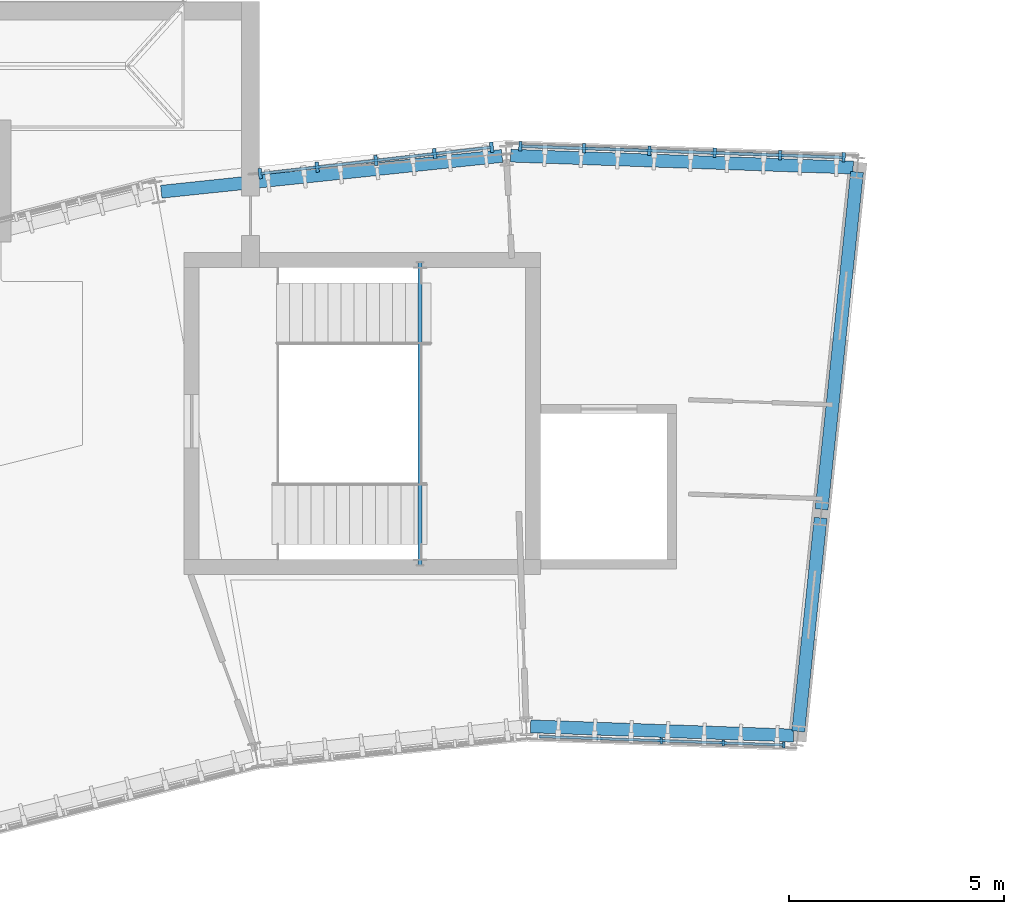
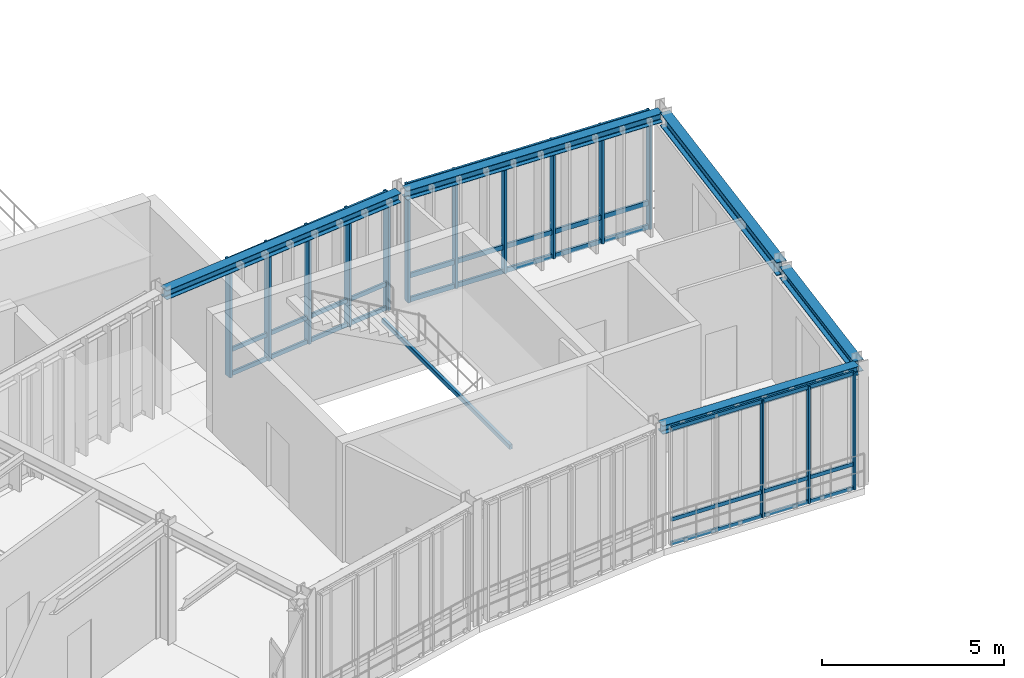
# One storey, part 24 of 57: 24 members, 5 beams, 3 elements without a shape of their own.
"""IFC4 building model written with IfcOpenShell, lengths in metres."""

from ifc_helpers import new_model, si_unit, direction, frame, origin, origin_2d, place, context, subcontext, project, spatial, rectangle, hollow_rectangle, i_section, extrude, material, layer, layer_set, material_profile, profile_set, type_object, element, aggregate, save


model = new_model("IFC4")

# Units and contexts
model_context = context("Model", 3, precision=1e-05, world=origin(), true_north=direction((0.0, 1.0)))
body_context = subcontext(model_context, "Body", "Model", "MODEL_VIEW")
ifc_project = project(units=[si_unit("LENGTHUNIT", "METRE"), si_unit("AREAUNIT", "SQUARE_METRE"), si_unit("VOLUMEUNIT", "CUBIC_METRE"), si_unit("PLANEANGLEUNIT", "RADIAN"), si_unit("MASSUNIT", "GRAM", prefix="KILO"), si_unit("THERMODYNAMICTEMPERATUREUNIT", "KELVIN"), si_unit("POWERUNIT", "WATT")], contexts=[model_context])

# Site, building, storey
site_placement = place(None, origin())
site = spatial("IfcSite", under=ifc_project, at=site_placement, CompositionType="ELEMENT")
building_placement = place(site_placement, origin())
building = spatial("IfcBuilding", under=site, at=building_placement, Name="Solvatero Civic Police Headquarters", CompositionType="ELEMENT")
storey_placement = place(building_placement, frame((0.0, 0.0, 9.300048828125)))
storey = spatial("IfcBuildingStorey", under=building, at=storey_placement, Name="L02", CompositionType="ELEMENT", Elevation=9.300048828125)

# Beams
ifc_material_1 = material(Name="Steel S355", Category="steel")
ifc_material_profile_1 = material_profile(ifc_material_1, i_section(OverallWidth=0.300048828125, OverallDepth=0.2900390625, WebThickness=0.008544921875, FlangeThickness=0.013916015625, FilletRadius=0.027099609375, at=origin_2d()), Name="HEA 300")
ifc_profile_set_1 = profile_set([ifc_material_profile_1], Name="Steel S355")
beam_type_1 = type_object("IfcBeamType", Name="BM-ST-HEA300", PredefinedType="SPANDREL", material=ifc_profile_set_1)
beam_1_placement = place(storey_placement, frame((98.640380859375, 71.10498046875, 3.85498046875), z_axis=(-0.999390615504, 0.034905553175, 0.0), x_axis=(-0.034905553175, -0.999390615504, 0.0)))
element("IfcBeam", 1, at=beam_1_placement, inside=storey, type_object=beam_type_1, Name="Perimeter / radial spandrel beam BM-R2-L02-ARC-CIN-B01", PredefinedType="SPANDREL", context=body_context, shape_type="SweptSolid", body=[
    extrude(i_section(OverallWidth=0.300048828125, OverallDepth=0.2900390625, WebThickness=0.008544921875, FlangeThickness=0.013916015625, FilletRadius=0.027099609375, at=origin_2d()), origin(), (0.0, 0.0, 1.0), 6.126953125),
])
ifc_material_profile_2 = material_profile(ifc_material_1, i_section(OverallWidth=0.300048828125, OverallDepth=0.31005859375, WebThickness=0.009033203125, FlangeThickness=0.015380859375, FilletRadius=0.027099609375, at=origin_2d()), Name="HEA 320")
ifc_profile_set_2 = profile_set([ifc_material_profile_2], Name="Steel S355")
beam_type_2 = type_object("IfcBeamType", Name="BM-ST-HEA320", PredefinedType="SPANDREL", material=ifc_profile_set_2)
beam_2_placement = place(storey_placement, frame((100.03076171875, 84.332275390625, 3.844970703125), z_axis=(-0.999390940069, 0.034896259223, 0.0), x_axis=(-0.034896259223, -0.999390940069, 0.0)))
element("IfcBeam", 2, at=beam_2_placement, inside=storey, type_object=beam_type_2, Name="Perimeter / radial spandrel beam BM-R2-L02-ARC-COUT-B01", PredefinedType="SPANDREL", context=body_context, shape_type="SweptSolid", body=[
    extrude(i_section(OverallWidth=0.300048828125, OverallDepth=0.31005859375, WebThickness=0.009033203125, FlangeThickness=0.015380859375, FilletRadius=0.027099609375, at=origin_2d()), origin(), (0.0, 0.0, 1.0), 7.982666015625),
])
beam_3_placement = place(storey_placement, frame((91.853515625, 84.603759765625, 3.844970703125), z_axis=(-0.994523705386, -0.10451124066, 0.0), x_axis=(0.10451124066, -0.994523705386, 0.0)))
element("IfcBeam", 3, at=beam_3_placement, inside=storey, type_object=beam_type_2, Name="Perimeter / radial spandrel beam BM-R2-L02-ARC-COUT-B02", PredefinedType="SPANDREL", context=body_context, shape_type="SweptSolid", body=[
    extrude(i_section(OverallWidth=0.300048828125, OverallDepth=0.31005859375, WebThickness=0.009033203125, FlangeThickness=0.015380859375, FilletRadius=0.027099609375, at=origin_2d()), origin(), (0.0, 0.0, 1.0), 7.982177734375),
])
ifc_material_profile_3 = material_profile(ifc_material_1, i_section(OverallWidth=0.300048828125, OverallDepth=0.389892578125, WebThickness=0.010986328125, FlangeThickness=0.01904296875, FilletRadius=0.027099609375, at=origin_2d()), Name="HEA 400")
ifc_profile_set_3 = profile_set([ifc_material_profile_3], Name="Steel S355")
beam_type_3 = type_object("IfcBeamType", Name="BM-ST-HEA400", PredefinedType="BEAM", material=ifc_profile_set_3)
beam_4_placement = place(storey_placement, frame((98.7509765625, 71.201171875, 3.804931640625), z_axis=(0.104496685935, 0.994525234787, 0.0), x_axis=(-0.994525234787, 0.104496685935, 0.0)))
element("IfcBeam", 4, at=beam_4_placement, inside=storey, type_object=beam_type_3, Name="Primary girder BM-R2-L02-ARC-RAD1-S00", PredefinedType="BEAM", context=body_context, shape_type="SweptSolid", body=[
    extrude(i_section(OverallWidth=0.300048828125, OverallDepth=0.389892578125, WebThickness=0.010986328125, FlangeThickness=0.01904296875, FilletRadius=0.027099609375, at=origin_2d()), origin(), (0.0, 0.0, 1.0), 4.999755859375),
])
ifc_material_profile_4 = material_profile(ifc_material_1, i_section(OverallWidth=0.300048828125, OverallDepth=0.43994140625, WebThickness=0.011474609375, FlangeThickness=0.02099609375, FilletRadius=0.027099609375, at=origin_2d()), Name="HEA 450")
ifc_profile_set_4 = profile_set([ifc_material_profile_4], Name="Steel S355")
beam_type_4 = type_object("IfcBeamType", Name="BM-ST-HEA450", PredefinedType="BEAM", material=ifc_profile_set_4)
beam_5_placement = place(storey_placement, frame((99.29443359375, 76.37255859375, 3.780029296875), z_axis=(0.104517477854, 0.99452304992, 0.0), x_axis=(-0.99452304992, 0.104517477854, 0.0)))
element("IfcBeam", 5, at=beam_5_placement, inside=storey, type_object=beam_type_4, Name="Primary girder BM-R2-L02-ARC-RAD2-S00", PredefinedType="BEAM", context=body_context, shape_type="SweptSolid", body=[
    extrude(i_section(OverallWidth=0.300048828125, OverallDepth=0.43994140625, WebThickness=0.011474609375, FlangeThickness=0.02099609375, FilletRadius=0.027099609375, at=origin_2d()), origin(), (0.0, 0.0, 1.0), 7.89990234375),
])

# Curtain wall, members
ifc_material_2 = material(Name="Anodized Bronze Aluminium", Category="aluminium")
ifc_layer_1 = layer(ifc_material_2, 0.179931640625)
ifc_layer_set_1 = layer_set([ifc_layer_1], Name="Anodized Bronze Aluminium")
curtain_wall_type_1 = type_object("IfcCurtainWallType", Name="CW-ARC-OUT", PredefinedType="USERDEFINED", material=ifc_layer_set_1)
curtain_wall_1_placement = place(storey_placement, origin())
curtain_wall_1 = element("IfcCurtainWall", 6, at=curtain_wall_1_placement, inside=storey, type_object=curtain_wall_type_1, Name="Curtain Wall CW-R2-L02-ARC-OUT-B02E", ObjectType="UNITISED", PredefinedType="USERDEFINED")
ifc_material_profile_5 = material_profile(ifc_material_2, rectangle(XDim=0.080078125, YDim=0.239990234375, at=origin_2d()), Name="ALU MULLION 80x240")
ifc_profile_set_5 = profile_set([ifc_material_profile_5], Name="Anodized Bronze Aluminium")
member_type_1 = type_object("IfcMemberType", Name="CWM-140x60", PredefinedType="MULLION", material=ifc_profile_set_5)
member_1_placement = place(storey_placement, frame((91.610107421875, 84.805908203125, 0.0), z_axis=(0.0, 0.0, 1.0), x_axis=(-0.993565927008, -0.113255236913, 0.0)))
member_1 = element("IfcMember", 7, at=member_1_placement, type_object=member_type_1, Name="CW-R2-L02-ARC-OUT-B02E Mullion 1", PredefinedType="MULLION", context=body_context, shape_type="SweptSolid", body=[
    extrude(rectangle(XDim=0.080078125, YDim=0.239990234375, at=origin_2d()), origin(), (0.0, 0.0, 1.0), 3.93994140625),
])
member_2_placement = place(storey_placement, frame((90.2822265625, 84.654541015625, 0.0), z_axis=(0.0, 0.0, 1.0), x_axis=(-0.993565927008, -0.113255236913, 0.0)))
member_2 = element("IfcMember", 8, at=member_2_placement, type_object=member_type_1, Name="CW-R2-L02-ARC-OUT-B02E Mullion 2", PredefinedType="MULLION", context=body_context, shape_type="SweptSolid", body=[
    extrude(rectangle(XDim=0.080078125, YDim=0.239990234375, at=origin_2d()), origin(), (0.0, 0.0, 1.0), 3.93994140625),
])
member_3_placement = place(storey_placement, frame((88.914794921875, 84.49853515625, 0.0), z_axis=(0.0, 0.0, 1.0), x_axis=(-0.993565927008, -0.113255236913, 0.0)))
member_3 = element("IfcMember", 9, at=member_3_placement, type_object=member_type_1, Name="CW-R2-L02-ARC-OUT-B02E Mullion 3", PredefinedType="MULLION", context=body_context, shape_type="SweptSolid", body=[
    extrude(rectangle(XDim=0.080078125, YDim=0.239990234375, at=origin_2d()), origin(), (0.0, 0.0, 1.0), 3.93994140625),
])
member_4_placement = place(storey_placement, frame((87.547119140625, 84.3427734375, 0.0), z_axis=(0.0, 0.0, 1.0), x_axis=(-0.993565927008, -0.113255236913, 0.0)))
member_4 = element("IfcMember", 10, at=member_4_placement, type_object=member_type_1, Name="CW-R2-L02-ARC-OUT-B02E Mullion 4", PredefinedType="MULLION", context=body_context, shape_type="SweptSolid", body=[
    extrude(rectangle(XDim=0.080078125, YDim=0.239990234375, at=origin_2d()), origin(), (0.0, 0.0, 1.0), 3.93994140625),
])
member_5_placement = place(storey_placement, frame((86.21923828125, 84.19140625, 0.0), z_axis=(0.0, 0.0, 1.0), x_axis=(-0.993565927008, -0.113255236913, 0.0)))
member_5 = element("IfcMember", 11, at=member_5_placement, type_object=member_type_1, Name="CW-R2-L02-ARC-OUT-B02E Mullion 5", PredefinedType="MULLION", context=body_context, shape_type="SweptSolid", body=[
    extrude(rectangle(XDim=0.080078125, YDim=0.239990234375, at=origin_2d()), origin(), (0.0, 0.0, 1.0), 3.93994140625),
])

ifc_layer_2 = layer(ifc_material_2, 0.179931640625)
ifc_layer_set_2 = layer_set([ifc_layer_2], Name="Anodized Bronze Aluminium")
curtain_wall_type_2 = type_object("IfcCurtainWallType", Name="CW-ARC-IN", PredefinedType="USERDEFINED", material=ifc_layer_set_2)
curtain_wall_2_placement = place(storey_placement, origin())
curtain_wall_2 = element("IfcCurtainWall", 12, at=curtain_wall_2_placement, inside=storey, type_object=curtain_wall_type_2, Name="Curtain Wall CW-R2-L02-ARC-IN-B01", ObjectType="UNITISED", PredefinedType="USERDEFINED")
ifc_material_profile_6 = material_profile(ifc_material_2, rectangle(XDim=0.06005859375, YDim=0.139892578125, at=origin_2d()), Name="ALU MULLION 60x140")
ifc_profile_set_6 = profile_set([ifc_material_profile_6], Name="Anodized Bronze Aluminium")
member_type_2 = type_object("IfcMemberType", Name="CWM-160x65", PredefinedType="MULLION", material=ifc_profile_set_6)
member_6_placement = place(storey_placement, frame((98.41357421875, 70.88330078125, 0.0), z_axis=(0.0, 0.0, 1.0), x_axis=(-0.999390827019, 0.034899496703, 0.0)))
member_6 = element("IfcMember", 13, at=member_6_placement, type_object=member_type_2, Name="CW-R2-L02-ARC-IN-B01 Mullion 1", PredefinedType="MULLION", context=body_context, shape_type="SweptSolid", body=[
    extrude(rectangle(XDim=0.06005859375, YDim=0.139892578125, at=origin_2d()), origin(), (0.0, 0.0, 1.0), 3.93994140625),
])
member_7_placement = place(storey_placement, frame((97.006591796875, 70.9326171875, 0.0), z_axis=(0.0, 0.0, 1.0), x_axis=(-0.999390827019, 0.034899496703, 0.0)))
member_7 = element("IfcMember", 14, at=member_7_placement, type_object=member_type_2, Name="CW-R2-L02-ARC-IN-B01 Mullion 2", PredefinedType="MULLION", context=body_context, shape_type="SweptSolid", body=[
    extrude(rectangle(XDim=0.06005859375, YDim=0.139892578125, at=origin_2d()), origin(), (0.0, 0.0, 1.0), 3.93994140625),
])
member_8_placement = place(storey_placement, frame((95.559326171875, 70.983154296875, 0.0), z_axis=(0.0, 0.0, 1.0), x_axis=(-0.999390827019, 0.034899496703, 0.0)))
member_8 = element("IfcMember", 15, at=member_8_placement, type_object=member_type_2, Name="CW-R2-L02-ARC-IN-B01 Mullion 3", PredefinedType="MULLION", context=body_context, shape_type="SweptSolid", body=[
    extrude(rectangle(XDim=0.06005859375, YDim=0.139892578125, at=origin_2d()), origin(), (0.0, 0.0, 1.0), 3.93994140625),
])

curtain_wall_3_placement = place(storey_placement, origin())
curtain_wall_3 = element("IfcCurtainWall", 16, at=curtain_wall_3_placement, inside=storey, type_object=curtain_wall_type_1, Name="Curtain Wall CW-R2-L02-ARC-OUT-B01", ObjectType="UNITISED", PredefinedType="USERDEFINED")
ifc_material_profile_7 = material_profile(ifc_material_2, rectangle(XDim=0.074951171875, YDim=0.219970703125, at=origin_2d()), Name="ALU MULLION 75x220")
ifc_profile_set_7 = profile_set([ifc_material_profile_7], Name="Anodized Bronze Aluminium")
member_type_3 = type_object("IfcMemberType", Name="CWM-250x85", PredefinedType="MULLION", material=ifc_profile_set_7)
member_9_placement = place(storey_placement, frame((99.808837890625, 84.569580078125, 0.0), z_axis=(0.0, 0.0, 1.0), x_axis=(-0.999390827019, 0.034899496703, 0.0)))
member_9 = element("IfcMember", 17, at=member_9_placement, type_object=member_type_3, Name="CW-R2-L02-ARC-OUT-B01 Mullion 1", PredefinedType="MULLION", context=body_context, shape_type="SweptSolid", body=[
    extrude(rectangle(XDim=0.074951171875, YDim=0.219970703125, at=origin_2d()), origin(), (0.0, 0.0, 1.0), 3.93994140625),
])
member_10_placement = place(storey_placement, frame((98.326904296875, 84.62109375, 0.0), z_axis=(0.0, 0.0, 1.0), x_axis=(-0.999390827019, 0.034899496703, 0.0)))
member_10 = element("IfcMember", 18, at=member_10_placement, type_object=member_type_3, Name="CW-R2-L02-ARC-OUT-B01 Mullion 2", PredefinedType="MULLION", context=body_context, shape_type="SweptSolid", body=[
    extrude(rectangle(XDim=0.074951171875, YDim=0.219970703125, at=origin_2d()), origin(), (0.0, 0.0, 1.0), 3.93994140625),
])
member_11_placement = place(storey_placement, frame((96.80517578125, 84.67431640625, 0.0), z_axis=(0.0, 0.0, 1.0), x_axis=(-0.999390827019, 0.034899496703, 0.0)))
member_11 = element("IfcMember", 19, at=member_11_placement, type_object=member_type_3, Name="CW-R2-L02-ARC-OUT-B01 Mullion 3", PredefinedType="MULLION", context=body_context, shape_type="SweptSolid", body=[
    extrude(rectangle(XDim=0.074951171875, YDim=0.219970703125, at=origin_2d()), origin(), (0.0, 0.0, 1.0), 3.93994140625),
])
member_12_placement = place(storey_placement, frame((95.283447265625, 84.7275390625, 0.0), z_axis=(0.0, 0.0, 1.0), x_axis=(-0.999390827019, 0.034899496703, 0.0)))
member_12 = element("IfcMember", 20, at=member_12_placement, type_object=member_type_3, Name="CW-R2-L02-ARC-OUT-B01 Mullion 4", PredefinedType="MULLION", context=body_context, shape_type="SweptSolid", body=[
    extrude(rectangle(XDim=0.074951171875, YDim=0.219970703125, at=origin_2d()), origin(), (0.0, 0.0, 1.0), 3.93994140625),
])
member_13_placement = place(storey_placement, frame((93.76171875, 84.78076171875, 0.0), z_axis=(0.0, 0.0, 1.0), x_axis=(-0.999390827019, 0.034899496703, 0.0)))
member_13 = element("IfcMember", 21, at=member_13_placement, type_object=member_type_3, Name="CW-R2-L02-ARC-OUT-B01 Mullion 5", PredefinedType="MULLION", context=body_context, shape_type="SweptSolid", body=[
    extrude(rectangle(XDim=0.074951171875, YDim=0.219970703125, at=origin_2d()), origin(), (0.0, 0.0, 1.0), 3.93994140625),
])
member_14_placement = place(storey_placement, frame((92.27978515625, 84.83251953125, 0.0), z_axis=(0.0, 0.0, 1.0), x_axis=(-0.999390827019, 0.034899496703, 0.0)))
member_14 = element("IfcMember", 22, at=member_14_placement, type_object=member_type_3, Name="CW-R2-L02-ARC-OUT-B01 Mullion 6", PredefinedType="MULLION", context=body_context, shape_type="SweptSolid", body=[
    extrude(rectangle(XDim=0.074951171875, YDim=0.219970703125, at=origin_2d()), origin(), (0.0, 0.0, 1.0), 3.93994140625),
])
ifc_material_profile_8 = material_profile(ifc_material_2, rectangle(XDim=0.070068359375, YDim=0.159912109375, at=origin_2d()), Name="ALU TRANSOM 70x160")
ifc_profile_set_8 = profile_set([ifc_material_profile_8], Name="Anodized Bronze Aluminium")
member_type_4 = type_object("IfcMemberType", Name="CWT-120x55", PredefinedType="USERDEFINED", material=ifc_profile_set_8)
member_15_placement = place(storey_placement, frame((99.798828125, 84.56982421875, 0.0400390625), z_axis=(-0.99939089287, 0.034897610916, 0.0), x_axis=(-0.034897610916, -0.99939089287, 0.0)))
member_15 = element("IfcMember", 23, at=member_15_placement, type_object=member_type_4, Name="CW-R2-L02-ARC-OUT-B01 Transom 1", ObjectType="TRANSOM", PredefinedType="USERDEFINED", context=body_context, shape_type="SweptSolid", body=[
    extrude(rectangle(XDim=0.070068359375, YDim=0.159912109375, at=origin_2d()), origin(), (0.0, 0.0, 1.0), 7.513671875),
])
member_16_placement = place(storey_placement, frame((99.798828125, 84.56982421875, 0.849853515625), z_axis=(-0.99939089287, 0.034897610916, 0.0), x_axis=(-0.034897610916, -0.99939089287, 0.0)))
member_16 = element("IfcMember", 24, at=member_16_placement, type_object=member_type_4, Name="CW-R2-L02-ARC-OUT-B01 Transom 2", ObjectType="TRANSOM", PredefinedType="USERDEFINED", context=body_context, shape_type="SweptSolid", body=[
    extrude(rectangle(XDim=0.070068359375, YDim=0.159912109375, at=origin_2d()), origin(), (0.0, 0.0, 1.0), 7.513671875),
])
member_17_placement = place(storey_placement, frame((99.798828125, 84.56982421875, 3.89990234375), z_axis=(-0.99939089287, 0.034897610916, 0.0), x_axis=(-0.034897610916, -0.99939089287, 0.0)))
member_17 = element("IfcMember", 25, at=member_17_placement, type_object=member_type_4, Name="CW-R2-L02-ARC-OUT-B01 Transom 3", ObjectType="TRANSOM", PredefinedType="USERDEFINED", context=body_context, shape_type="SweptSolid", body=[
    extrude(rectangle(XDim=0.070068359375, YDim=0.159912109375, at=origin_2d()), origin(), (0.0, 0.0, 1.0), 7.513671875),
])
aggregate(curtain_wall_3, [member_9, member_10, member_11, member_12, member_13, member_14, member_15, member_16, member_17])

# Member
ifc_material_profile_9 = material_profile(ifc_material_2, rectangle(XDim=0.06005859375, YDim=0.125, at=origin_2d()), Name="ALU TRANSOM 60x125")
ifc_profile_set_9 = profile_set([ifc_material_profile_9], Name="Anodized Bronze Aluminium")
member_type_5 = type_object("IfcMemberType", Name="CWT-160x65", PredefinedType="USERDEFINED", material=ifc_profile_set_9)
member_18_placement = place(storey_placement, frame((98.403564453125, 70.8837890625, 0.0400390625), z_axis=(-0.999390309185, 0.03491432239, 0.0), x_axis=(-0.03491432239, -0.999390309185, 0.0)))
member_18 = element("IfcMember", 26, at=member_18_placement, type_object=member_type_5, Name="CW-R2-L02-ARC-IN-B01 Transom 1", ObjectType="TRANSOM", PredefinedType="USERDEFINED", context=body_context, shape_type="SweptSolid", body=[
    extrude(rectangle(XDim=0.06005859375, YDim=0.125, at=origin_2d()), origin(), (0.0, 0.0, 1.0), 5.69189453125),
])

member_19_placement = place(storey_placement, frame((98.403564453125, 70.8837890625, 0.849853515625), z_axis=(-0.999390309185, 0.03491432239, 0.0), x_axis=(-0.03491432239, -0.999390309185, 0.0)))
member_19 = element("IfcMember", 27, at=member_19_placement, type_object=member_type_5, Name="CW-R2-L02-ARC-IN-B01 Transom 2", ObjectType="TRANSOM", PredefinedType="USERDEFINED", context=body_context, shape_type="SweptSolid", body=[
    extrude(rectangle(XDim=0.06005859375, YDim=0.125, at=origin_2d()), origin(), (0.0, 0.0, 1.0), 5.69189453125),
])

member_20_placement = place(storey_placement, frame((98.403564453125, 70.8837890625, 3.89990234375), z_axis=(-0.999390309185, 0.03491432239, 0.0), x_axis=(-0.03491432239, -0.999390309185, 0.0)))
member_20 = element("IfcMember", 28, at=member_20_placement, type_object=member_type_5, Name="CW-R2-L02-ARC-IN-B01 Transom 3", ObjectType="TRANSOM", PredefinedType="USERDEFINED", context=body_context, shape_type="SweptSolid", body=[
    extrude(rectangle(XDim=0.06005859375, YDim=0.125, at=origin_2d()), origin(), (0.0, 0.0, 1.0), 5.69189453125),
])

aggregate(curtain_wall_2, [member_6, member_7, member_8, member_18, member_19, member_20])

ifc_material_profile_10 = material_profile(ifc_material_2, rectangle(XDim=0.06494140625, YDim=0.139892578125, at=origin_2d()), Name="ALU TRANSOM 65x140")
ifc_profile_set_10 = profile_set([ifc_material_profile_10], Name="Anodized Bronze Aluminium")
member_type_6 = type_object("IfcMemberType", Name="CWT-180x70", PredefinedType="USERDEFINED", material=ifc_profile_set_10)
member_21_placement = place(storey_placement, frame((91.60009765625, 84.8046875, 0.0400390625), z_axis=(-0.993564078352, -0.113271453635, 0.0), x_axis=(0.113271453635, -0.993564078352, 0.0)))
member_21 = element("IfcMember", 29, at=member_21_placement, type_object=member_type_6, Name="CW-R2-L02-ARC-OUT-B02E Transom 1", ObjectType="TRANSOM", PredefinedType="USERDEFINED", context=body_context, shape_type="SweptSolid", body=[
    extrude(rectangle(XDim=0.06494140625, YDim=0.139892578125, at=origin_2d()), origin(), (0.0, 0.0, 1.0), 5.40576171875),
])

member_22_placement = place(storey_placement, frame((91.60009765625, 84.8046875, 0.849853515625), z_axis=(-0.993564078352, -0.113271453635, 0.0), x_axis=(0.113271453635, -0.993564078352, 0.0)))
member_22 = element("IfcMember", 30, at=member_22_placement, type_object=member_type_6, Name="CW-R2-L02-ARC-OUT-B02E Transom 2", ObjectType="TRANSOM", PredefinedType="USERDEFINED", context=body_context, shape_type="SweptSolid", body=[
    extrude(rectangle(XDim=0.06494140625, YDim=0.139892578125, at=origin_2d()), origin(), (0.0, 0.0, 1.0), 5.40576171875),
])

member_23_placement = place(storey_placement, frame((91.60009765625, 84.8046875, 3.89990234375), z_axis=(-0.993564078352, -0.113271453635, 0.0), x_axis=(0.113271453635, -0.993564078352, 0.0)))
member_23 = element("IfcMember", 31, at=member_23_placement, type_object=member_type_6, Name="CW-R2-L02-ARC-OUT-B02E Transom 3", ObjectType="TRANSOM", PredefinedType="USERDEFINED", context=body_context, shape_type="SweptSolid", body=[
    extrude(rectangle(XDim=0.06494140625, YDim=0.139892578125, at=origin_2d()), origin(), (0.0, 0.0, 1.0), 5.40576171875),
])

aggregate(curtain_wall_1, [member_1, member_2, member_3, member_4, member_5, member_21, member_22, member_23])

ifc_material_profile_11 = material_profile(ifc_material_1, hollow_rectangle(XDim=0.10009765625, YDim=0.14990234375, WallThickness=0.00634765625, InnerFilletRadius=0.00634765625, OuterFilletRadius=0.0126953125, at=origin_2d()), Name="RHS 150x100x6.3")
ifc_profile_set_11 = profile_set([ifc_material_profile_11], Name="Steel S355")
member_type_7 = type_object("IfcMemberType", Name="MB-BR-RHS150", PredefinedType="BRACE", material=ifc_profile_set_11)
member_24_placement = place(storey_placement, frame((89.93994140625, 75.080078125, 1.824951171875), z_axis=(0.0, 1.0, 0.0), x_axis=(-1.0, 0.0, 0.0)))
element("IfcMember", 32, at=member_24_placement, inside=storey, type_object=member_type_7, Name="ST-C3 L02 Landing Support Beam", PredefinedType="BRACE", context=body_context, shape_type="SweptSolid", body=[
    extrude(hollow_rectangle(XDim=0.10009765625, YDim=0.14990234375, WallThickness=0.00634765625, InnerFilletRadius=0.00634765625, OuterFilletRadius=0.0126953125, at=origin_2d()), origin(), (0.0, 0.0, 1.0), 7.0400390625),
])

save(model, "model.ifc")
